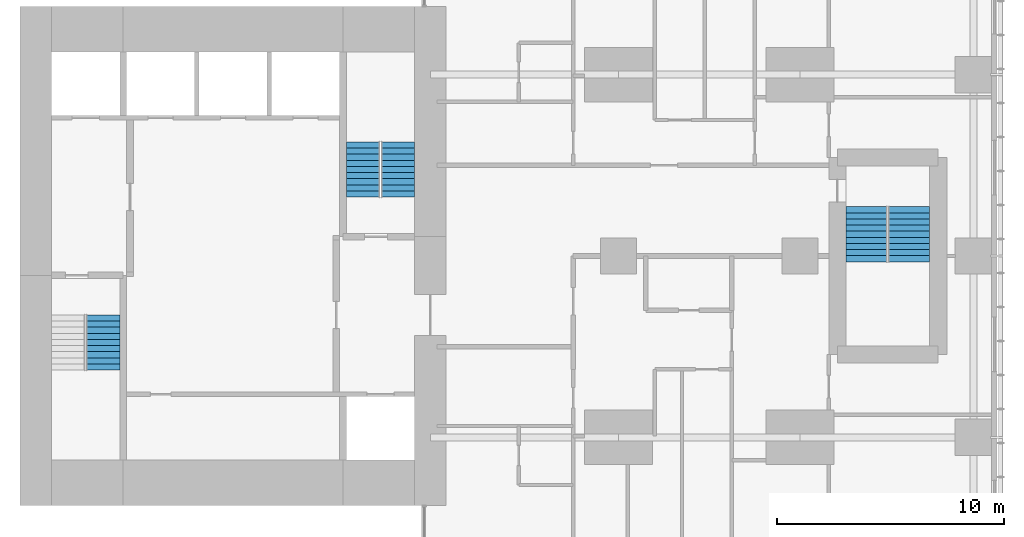
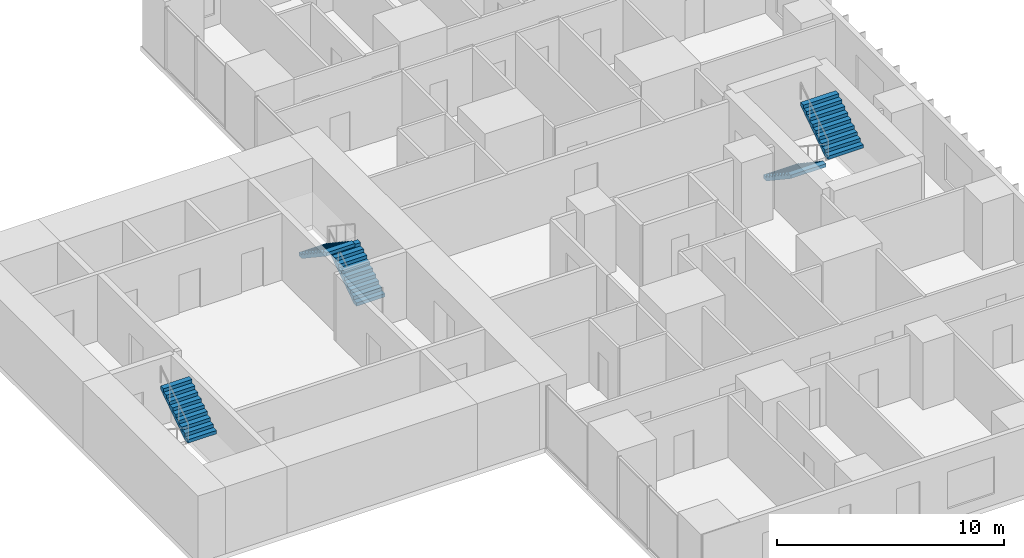
# One storey, part 11 of 12: 5 stair flights, 3 elements without a shape of their own.
"""IFC4 building model written with IfcOpenShell, lengths in metres."""

from ifc_helpers import new_model, si_unit, direction, frame, origin, place, context, subcontext, project, spatial, polyline, outline, extrude, material, type_object, element, aggregate, save


model = new_model("IFC4")

# Units and contexts
model_context = context("Model", 3, precision=1e-05, world=origin(), true_north=direction((0.0, 1.0)))
body_context = subcontext(model_context, "Body", "Model", "MODEL_VIEW")
ifc_project = project(units=[si_unit("LENGTHUNIT", "METRE"), si_unit("AREAUNIT", "SQUARE_METRE"), si_unit("VOLUMEUNIT", "CUBIC_METRE"), si_unit("PLANEANGLEUNIT", "RADIAN"), si_unit("MASSUNIT", "GRAM", prefix="KILO")], contexts=[model_context])

# Site, building, storey
site_placement = place(None, origin())
site = spatial("IfcSite", under=ifc_project, at=site_placement, CompositionType="ELEMENT")
building_placement = place(site_placement, origin())
building = spatial("IfcBuilding", under=site, at=building_placement, Name="Cleftline Residences", CompositionType="ELEMENT")
storey_placement = place(building_placement, frame((0.0, 0.0, 244.800048828125)))
storey = spatial("IfcBuildingStorey", under=building, at=storey_placement, Name="L64", CompositionType="ELEMENT", Elevation=244.800048828125)

# Stair, stair flight
ifc_material_1 = material(Name="Concrete B45, stone treads", Category="masonry")
stair_type_1 = type_object("IfcStairType", Name="STAIR A 1450 WIDE 180 RISER", PredefinedType="HALF_TURN_STAIR", material=ifc_material_1)
stair_1_placement = place(storey_placement, origin())
stair_1 = element("IfcStair", 1, at=stair_1_placement, inside=storey, type_object=stair_type_1, Name="Stair A L64", PredefinedType="HALF_TURN_STAIR")
ifc_material_2 = material(Name="Concrete B45", Category="concrete")
stair_flight_type_1 = type_object("IfcStairFlightType", Name="STAIR A FLIGHT 1450X180", PredefinedType="STRAIGHT", material=ifc_material_2)
stair_flight_1_placement = place(storey_placement, frame((27.27490234375, 18.969970703125, 1.800048828125), z_axis=(0.0, 0.0, 1.0), x_axis=(0.0, 1.0, 0.0)))
stair_flight_1 = element("IfcStairFlight", 2, at=stair_flight_1_placement, type_object=stair_flight_type_1, Name="ST-A flight 2", NumberOfRisers=10, NumberOfTreads=9, PredefinedType="STRAIGHT", RiserHeight=0.18, TreadLength=0.27, context=body_context, shape_type="SweptSolid", body=[
    extrude(outline(polyline([(0.0, 0.0), (0.0, 0.013916015625), (0.0, 0.027587890625), (0.0, 0.04150390625), (0.0, 0.055419921875), (0.0, 0.0693359375), (0.0, 0.0830078125), (0.0, 0.096923828125), (0.0, 0.11083984375), (0.0, 0.12451171875), (0.0, 0.138427734375), (0.0, 0.15234375), (0.0, 0.166259765625), (0.0, 0.179931640625), (0.27001953125, 0.179931640625), (0.27001953125, 0.360107421875), (0.5400390625, 0.360107421875), (0.5400390625, 0.5400390625), (0.81005859375, 0.5400390625), (0.81005859375, 0.719970703125), (1.080078125, 0.719970703125), (1.080078125, 0.89990234375), (1.35009765625, 0.89990234375), (1.35009765625, 1.080078125), (1.6201171875, 1.080078125), (1.6201171875, 1.260009765625), (1.889892578125, 1.260009765625), (1.889892578125, 1.43994140625), (2.159912109375, 1.43994140625), (2.159912109375, 1.6201171875), (2.429931640625, 1.6201171875), (2.429931640625, 1.800048828125), (2.429931640625, 1.772216796875), (2.429931640625, 1.74462890625), (2.429931640625, 1.716796875), (2.429931640625, 1.689208984375), (2.429931640625, 1.661376953125), (2.429931640625, 1.6337890625), (2.429931640625, 1.60595703125), (2.429931640625, 1.578369140625), (2.429931640625, 1.550537109375), (2.429931640625, 1.52294921875), (2.429931640625, 1.495361328125), (2.429931640625, 1.467529296875), (2.429931640625, 1.43994140625), (0.270263671875, 0.0), (0.0, 0.0)])), frame((0.0, 0.72509765625, 0.0), z_axis=(0.0, -1.0, 0.0), x_axis=(1.0, 0.0, 0.0)), (0.0, 0.0, 1.0), 1.449951171875),
])
aggregate(stair_1, [stair_flight_1])

# Stair, stair flights
ifc_material_3 = material(Name="Concrete B45, stone treads", Category="masonry")
stair_type_2 = type_object("IfcStairType", Name="STAIR B 1450 WIDE 180 RISER", PredefinedType="HALF_TURN_STAIR", material=ifc_material_3)
stair_2_placement = place(storey_placement, origin())
stair_2 = element("IfcStair", 3, at=stair_2_placement, inside=storey, type_object=stair_type_2, Name="Stair B L64", PredefinedType="HALF_TURN_STAIR")
ifc_material_4 = material(Name="Concrete B45", Category="concrete")
stair_flight_type_2 = type_object("IfcStairFlightType", Name="STAIR B FLIGHT 1450X180", PredefinedType="STRAIGHT", material=ifc_material_4)
stair_flight_2_placement = place(storey_placement, frame((40.27490234375, 26.60009765625, 0.0), z_axis=(0.0, 0.0, 1.0), x_axis=(0.0, 1.0, 0.0)))
stair_flight_2 = element("IfcStairFlight", 4, at=stair_flight_2_placement, type_object=stair_flight_type_2, Name="ST-B flight 1", NumberOfRisers=10, NumberOfTreads=9, PredefinedType="STRAIGHT", RiserHeight=0.18, TreadLength=0.27, context=body_context, shape_type="SweptSolid", body=[
    extrude(outline(polyline([(0.0, 0.0), (0.0, 0.013916015625), (0.0, 0.027587890625), (0.0, 0.04150390625), (0.0, 0.055419921875), (0.0, 0.0693359375), (0.0, 0.0830078125), (0.0, 0.096923828125), (0.0, 0.11083984375), (0.0, 0.12451171875), (0.0, 0.138427734375), (0.0, 0.15234375), (0.0, 0.166259765625), (0.0, 0.179931640625), (0.27001953125, 0.179931640625), (0.27001953125, 0.360107421875), (0.5400390625, 0.360107421875), (0.5400390625, 0.5400390625), (0.81005859375, 0.5400390625), (0.81005859375, 0.719970703125), (1.080078125, 0.719970703125), (1.080078125, 0.89990234375), (1.35009765625, 0.89990234375), (1.35009765625, 1.080078125), (1.6201171875, 1.080078125), (1.6201171875, 1.260009765625), (1.889892578125, 1.260009765625), (1.889892578125, 1.43994140625), (2.159912109375, 1.43994140625), (2.159912109375, 1.6201171875), (2.429931640625, 1.6201171875), (2.429931640625, 1.800048828125), (2.429931640625, 1.772216796875), (2.429931640625, 1.74462890625), (2.429931640625, 1.716796875), (2.429931640625, 1.689208984375), (2.429931640625, 1.661376953125), (2.429931640625, 1.6337890625), (2.429931640625, 1.60595703125), (2.429931640625, 1.578369140625), (2.429931640625, 1.550537109375), (2.429931640625, 1.52294921875), (2.429931640625, 1.495361328125), (2.429931640625, 1.467529296875), (2.429931640625, 1.43994140625), (0.270263671875, 0.0), (0.0, 0.0)])), frame((0.0, 0.72509765625, 0.0), z_axis=(0.0, -1.0, 0.0), x_axis=(1.0, 0.0, 0.0)), (0.0, 0.0, 1.0), 1.449951171875),
])
stair_flight_3_placement = place(storey_placement, frame((38.72509765625, 29.030029296875, 1.800048828125), z_axis=(0.0, 0.0, 1.0), x_axis=(0.0, -1.0, 0.0)))
stair_flight_3 = element("IfcStairFlight", 5, at=stair_flight_3_placement, type_object=stair_flight_type_2, Name="ST-B flight 2", NumberOfRisers=10, NumberOfTreads=9, PredefinedType="STRAIGHT", RiserHeight=0.18, TreadLength=0.27, context=body_context, shape_type="SweptSolid", body=[
    extrude(outline(polyline([(0.0, 0.0), (0.0, 0.013916015625), (0.0, 0.027587890625), (0.0, 0.04150390625), (0.0, 0.055419921875), (0.0, 0.0693359375), (0.0, 0.0830078125), (0.0, 0.096923828125), (0.0, 0.11083984375), (0.0, 0.12451171875), (0.0, 0.138427734375), (0.0, 0.15234375), (0.0, 0.166259765625), (0.0, 0.179931640625), (0.27001953125, 0.179931640625), (0.27001953125, 0.360107421875), (0.5400390625, 0.360107421875), (0.5400390625, 0.5400390625), (0.81005859375, 0.5400390625), (0.81005859375, 0.719970703125), (1.080078125, 0.719970703125), (1.080078125, 0.89990234375), (1.35009765625, 0.89990234375), (1.35009765625, 1.080078125), (1.6201171875, 1.080078125), (1.6201171875, 1.260009765625), (1.889892578125, 1.260009765625), (1.889892578125, 1.43994140625), (2.159912109375, 1.43994140625), (2.159912109375, 1.6201171875), (2.429931640625, 1.6201171875), (2.429931640625, 1.800048828125), (2.429931640625, 1.772216796875), (2.429931640625, 1.74462890625), (2.429931640625, 1.716796875), (2.429931640625, 1.689208984375), (2.429931640625, 1.661376953125), (2.429931640625, 1.6337890625), (2.429931640625, 1.60595703125), (2.429931640625, 1.578369140625), (2.429931640625, 1.550537109375), (2.429931640625, 1.52294921875), (2.429931640625, 1.495361328125), (2.429931640625, 1.467529296875), (2.429931640625, 1.43994140625), (0.270263671875, 0.0), (0.0, 0.0)])), frame((0.0, 0.72509765625, 0.0), z_axis=(0.0, -1.0, 0.0), x_axis=(1.0, 0.0, 0.0)), (0.0, 0.0, 1.0), 1.449951171875),
])
aggregate(stair_2, [stair_flight_2, stair_flight_3])

ifc_material_5 = material(Name="Concrete B45, stone treads", Category="masonry")
stair_type_3 = type_object("IfcStairType", Name="STAIR E 1800 WIDE 180 RISER", PredefinedType="HALF_TURN_STAIR", material=ifc_material_5)
stair_3_placement = place(storey_placement, origin())
stair_3 = element("IfcStair", 6, at=stair_3_placement, inside=storey, type_object=stair_type_3, Name="Stair E L64", PredefinedType="HALF_TURN_STAIR")
ifc_material_6 = material(Name="Concrete B45", Category="concrete")
stair_flight_type_3 = type_object("IfcStairFlightType", Name="STAIR E FLIGHT 1800X180", PredefinedType="STRAIGHT", material=ifc_material_6)
stair_flight_4_placement = place(storey_placement, frame((60.925048828125, 26.175048828125, 0.0), z_axis=(0.0, 0.0, 1.0), x_axis=(0.0, -1.0, 0.0)))
stair_flight_4 = element("IfcStairFlight", 7, at=stair_flight_4_placement, type_object=stair_flight_type_3, Name="ST-E flight 1", NumberOfRisers=10, NumberOfTreads=9, PredefinedType="STRAIGHT", RiserHeight=0.18, TreadLength=0.27, context=body_context, shape_type="SweptSolid", body=[
    extrude(outline(polyline([(0.0, 0.0), (0.0, 0.013916015625), (0.0, 0.027587890625), (0.0, 0.04150390625), (0.0, 0.055419921875), (0.0, 0.0693359375), (0.0, 0.0830078125), (0.0, 0.096923828125), (0.0, 0.11083984375), (0.0, 0.12451171875), (0.0, 0.138427734375), (0.0, 0.15234375), (0.0, 0.166259765625), (0.0, 0.179931640625), (0.27001953125, 0.179931640625), (0.27001953125, 0.360107421875), (0.5400390625, 0.360107421875), (0.5400390625, 0.5400390625), (0.81005859375, 0.5400390625), (0.81005859375, 0.719970703125), (1.080078125, 0.719970703125), (1.080078125, 0.89990234375), (1.35009765625, 0.89990234375), (1.35009765625, 1.080078125), (1.6201171875, 1.080078125), (1.6201171875, 1.260009765625), (1.889892578125, 1.260009765625), (1.889892578125, 1.43994140625), (2.159912109375, 1.43994140625), (2.159912109375, 1.6201171875), (2.429931640625, 1.6201171875), (2.429931640625, 1.800048828125), (2.429931640625, 1.772216796875), (2.429931640625, 1.74462890625), (2.429931640625, 1.716796875), (2.429931640625, 1.689208984375), (2.429931640625, 1.661376953125), (2.429931640625, 1.6337890625), (2.429931640625, 1.60595703125), (2.429931640625, 1.578369140625), (2.429931640625, 1.550537109375), (2.429931640625, 1.52294921875), (2.429931640625, 1.495361328125), (2.429931640625, 1.467529296875), (2.429931640625, 1.43994140625), (0.270263671875, 0.0), (0.0, 0.0)])), frame((0.0, 0.89990234375, 0.0), z_axis=(0.0, -1.0, 0.0), x_axis=(1.0, 0.0, 0.0)), (0.0, 0.0, 1.0), 1.800048828125),
])
stair_flight_5_placement = place(storey_placement, frame((62.824951171875, 23.7451171875, 1.800048828125), z_axis=(0.0, 0.0, 1.0), x_axis=(0.0, 1.0, 0.0)))
stair_flight_5 = element("IfcStairFlight", 8, at=stair_flight_5_placement, type_object=stair_flight_type_3, Name="ST-E flight 2", NumberOfRisers=10, NumberOfTreads=9, PredefinedType="STRAIGHT", RiserHeight=0.18, TreadLength=0.27, context=body_context, shape_type="SweptSolid", body=[
    extrude(outline(polyline([(0.0, 0.0), (0.0, 0.013916015625), (0.0, 0.027587890625), (0.0, 0.04150390625), (0.0, 0.055419921875), (0.0, 0.0693359375), (0.0, 0.0830078125), (0.0, 0.096923828125), (0.0, 0.11083984375), (0.0, 0.12451171875), (0.0, 0.138427734375), (0.0, 0.15234375), (0.0, 0.166259765625), (0.0, 0.179931640625), (0.27001953125, 0.179931640625), (0.27001953125, 0.360107421875), (0.5400390625, 0.360107421875), (0.5400390625, 0.5400390625), (0.81005859375, 0.5400390625), (0.81005859375, 0.719970703125), (1.080078125, 0.719970703125), (1.080078125, 0.89990234375), (1.35009765625, 0.89990234375), (1.35009765625, 1.080078125), (1.6201171875, 1.080078125), (1.6201171875, 1.260009765625), (1.889892578125, 1.260009765625), (1.889892578125, 1.43994140625), (2.159912109375, 1.43994140625), (2.159912109375, 1.6201171875), (2.429931640625, 1.6201171875), (2.429931640625, 1.800048828125), (2.429931640625, 1.772216796875), (2.429931640625, 1.74462890625), (2.429931640625, 1.716796875), (2.429931640625, 1.689208984375), (2.429931640625, 1.661376953125), (2.429931640625, 1.6337890625), (2.429931640625, 1.60595703125), (2.429931640625, 1.578369140625), (2.429931640625, 1.550537109375), (2.429931640625, 1.52294921875), (2.429931640625, 1.495361328125), (2.429931640625, 1.467529296875), (2.429931640625, 1.43994140625), (0.270263671875, 0.0), (0.0, 0.0)])), frame((0.0, 0.89990234375, 0.0), z_axis=(0.0, -1.0, 0.0), x_axis=(1.0, 0.0, 0.0)), (0.0, 0.0, 1.0), 1.800048828125),
])
aggregate(stair_3, [stair_flight_4, stair_flight_5])

save(model, "model.ifc")
